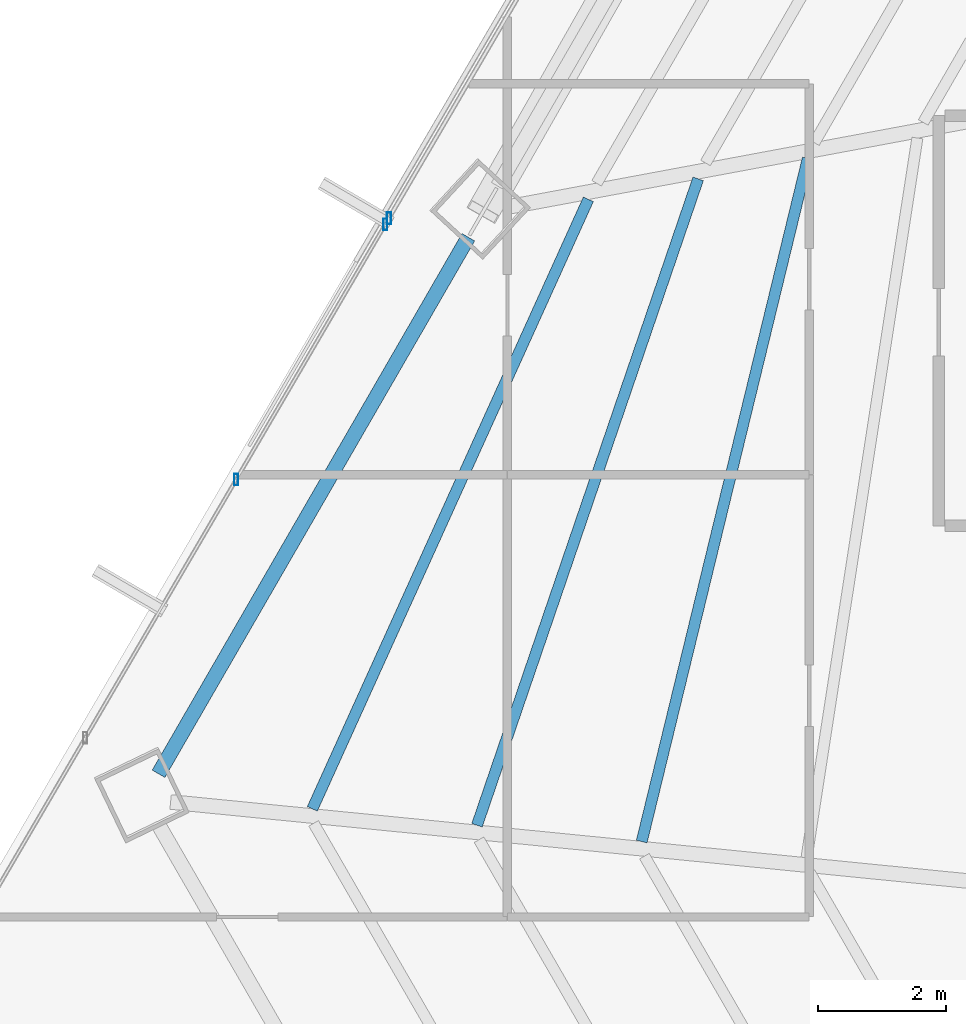
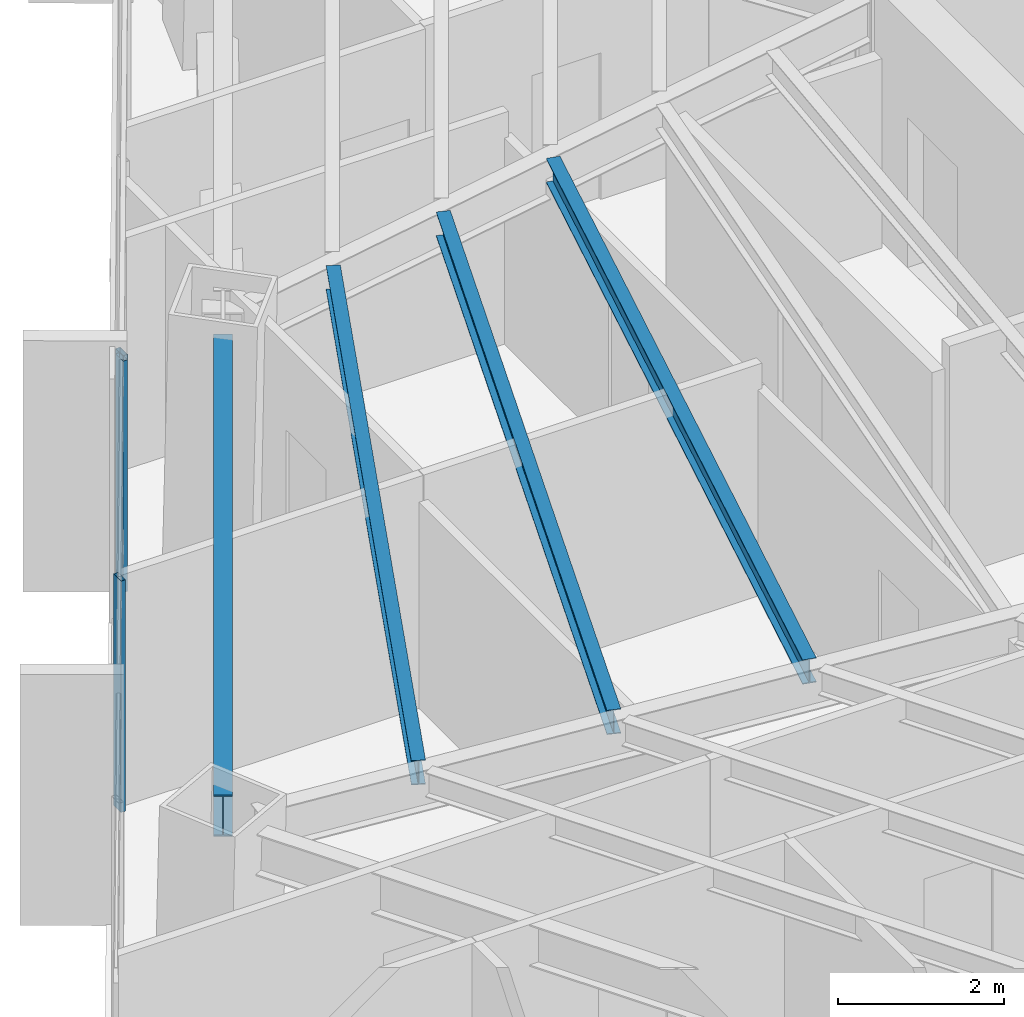
# One storey, part 12 of 37: 4 beams, 3 members, 2 elements without a shape of their own.
"""IFC4 building model written with IfcOpenShell, lengths in metres."""

from ifc_helpers import new_model, si_unit, direction, frame, origin, origin_2d, place, context, subcontext, project, spatial, hollow_rectangle, i_section, extrude, source, transform, mapped, material, material_profile, profile_set, type_object, type_shapes, element, aggregate, save


model = new_model("IFC4")

# Units and contexts
model_context = context("Model", 3, precision=1e-05, world=origin(), true_north=direction((0.0, 1.0)))
body_context = subcontext(model_context, "Body", "Model", "MODEL_VIEW")
ifc_project = project(units=[si_unit("LENGTHUNIT", "METRE"), si_unit("AREAUNIT", "SQUARE_METRE"), si_unit("VOLUMEUNIT", "CUBIC_METRE"), si_unit("PLANEANGLEUNIT", "RADIAN"), si_unit("MASSUNIT", "GRAM", prefix="KILO")], contexts=[model_context])

# Site, building, storey
site_placement = place(None, origin())
site = spatial("IfcSite", under=ifc_project, at=site_placement, CompositionType="ELEMENT")
building_placement = place(site_placement, origin())
building = spatial("IfcBuilding", under=site, at=building_placement, Name="Caelisora Broadcast Tower", CompositionType="ELEMENT")
storey_placement = place(building_placement, frame((0.0, 0.0, 116.35009765625)))
storey = spatial("IfcBuildingStorey", under=building, at=storey_placement, Name="L30", CompositionType="ELEMENT", Elevation=116.35009765625)

# Beams
ifc_material_1 = material(Name="Steel Grade 350 (AS/NZS 3679.1)", Category="steel")
ifc_material_profile_1 = material_profile(ifc_material_1, i_section(OverallWidth=0.22900390625, OverallDepth=0.611572265625, WebThickness=0.011962890625, FlangeThickness=0.01953125, at=origin_2d()), Name="Steel Grade 350 (AS/NZS 3679.1)")
ifc_profile_set_1 = profile_set([ifc_material_profile_1], Name="Steel Grade 350 (AS/NZS 3679.1)")
beam_type_1 = type_object("IfcBeamType", Name="PG03", PredefinedType="BEAM", material=ifc_profile_set_1)
shared_shape_1 = source(origin(), body_context, "Body", "SweptSolid", [
    extrude(i_section(OverallWidth=0.22900390625, OverallDepth=0.611572265625, WebThickness=0.011962890625, FlangeThickness=0.01953125, at=origin_2d()), origin(), (0.0, 0.0, 1.0), 9.664794921875),
])
type_shapes(beam_type_1, [shared_shape_1])
beam_1_placement = place(storey_placement, frame((20.081298828125, 27.703369140625, 3.093994140625), z_axis=(-0.500013275555, -0.866017739004, 0.0), x_axis=(0.866017739004, -0.500013275555, 0.0)))
element("IfcBeam", 1, at=beam_1_placement, inside=storey, type_object=beam_type_1, Name="L30 beam PG03", PredefinedType="BEAM", context=body_context, shape_type="MappedRepresentation", body=[
    mapped(shared_shape_1, transform((0.0, 0.0, 0.0), scale=1.0)),
])
ifc_material_profile_2 = material_profile(ifc_material_1, i_section(OverallWidth=0.172119140625, OverallDepth=0.358642578125, WebThickness=0.008056640625, FlangeThickness=0.012939453125, at=origin_2d()), Name="Steel Grade 350 (AS/NZS 3679.1)")
ifc_profile_set_2 = profile_set([ifc_material_profile_2], Name="Steel Grade 350 (AS/NZS 3679.1)")
beam_type_2 = type_object("IfcBeamType", Name="SB02", PredefinedType="JOIST", material=ifc_profile_set_2)
shared_shape_2 = source(origin(), body_context, "Body", "SweptSolid", [
    extrude(i_section(OverallWidth=0.172119140625, OverallDepth=0.358642578125, WebThickness=0.008056640625, FlangeThickness=0.012939453125, at=origin_2d()), origin(), (0.0, 0.0, 1.0), 10.96630859375),
])
beam_2_placement = place(storey_placement, frame((25.376708984375, 28.932373046875, 3.220703125), z_axis=(-0.236255002602, -0.971691089671, 0.0), x_axis=(0.971691089671, -0.236255002602, 0.0)))
element("IfcBeam", 2, at=beam_2_placement, inside=storey, type_object=beam_type_2, Name="L30 beam SB02", PredefinedType="JOIST", context=body_context, shape_type="MappedRepresentation", body=[
    mapped(shared_shape_2, transform((0.0, 0.0, 0.0), scale=1.0)),
])
shared_shape_3 = source(origin(), body_context, "Body", "SweptSolid", [
    extrude(i_section(OverallWidth=0.172119140625, OverallDepth=0.358642578125, WebThickness=0.008056640625, FlangeThickness=0.012939453125, at=origin_2d()), origin(), (0.0, 0.0, 1.0), 10.65576171875),
])
beam_3_placement = place(storey_placement, frame((23.666015625, 28.613525390625, 3.220703125), z_axis=(-0.323737336441, -0.946146995447, 0.0), x_axis=(0.946146995447, -0.323737336441, 0.0)))
element("IfcBeam", 3, at=beam_3_placement, inside=storey, type_object=beam_type_2, Name="L30 beam SB02", PredefinedType="JOIST", context=body_context, shape_type="MappedRepresentation", body=[
    mapped(shared_shape_3, transform((0.0, 0.0, 0.0), scale=1.0)),
])
shared_shape_4 = source(origin(), body_context, "Body", "SweptSolid", [
    extrude(i_section(OverallWidth=0.172119140625, OverallDepth=0.358642578125, WebThickness=0.008056640625, FlangeThickness=0.012939453125, at=origin_2d()), origin(), (0.0, 0.0, 1.0), 10.437255859375),
])
type_shapes(beam_type_2, [shared_shape_2, shared_shape_3, shared_shape_4])
beam_4_placement = place(storey_placement, frame((21.953125, 28.294189453125, 3.220703125), z_axis=(-0.412526597842, -0.910945556042, 0.0), x_axis=(0.910945556042, -0.412526597842, 0.0)))
element("IfcBeam", 4, at=beam_4_placement, inside=storey, type_object=beam_type_2, Name="L30 beam SB02", PredefinedType="JOIST", context=body_context, shape_type="MappedRepresentation", body=[
    mapped(shared_shape_4, transform((0.0, 0.0, 0.0), scale=1.0)),
])

# Curtain wall, members
ifc_material_2 = material(Name="Unitised Aluminium and Low-E Glass Curtain Wall", Category="glass")
curtain_wall_type_1 = type_object("IfcCurtainWallType", Name="CW-Z2", PredefinedType="NOTDEFINED", material=ifc_material_2)
curtain_wall_1_placement = place(storey_placement, origin())
curtain_wall_1 = element("IfcCurtainWall", 5, at=curtain_wall_1_placement, inside=storey, type_object=curtain_wall_type_1, Name="L30 curtain wall CW-Z2", PredefinedType="NOTDEFINED")
ifc_material_3 = material(Name="Aluminium 6063-T6 Anodised Terracotta Bronze", Category="aluminium")
ifc_material_profile_3 = material_profile(ifc_material_3, hollow_rectangle(XDim=0.06494140625, YDim=0.179931640625, WallThickness=0.00341796875, at=origin_2d()), Name="Aluminium 6063-T6 Anodised Terracotta Bronze")
ifc_profile_set_3 = profile_set([ifc_material_profile_3], Name="Aluminium 6063-T6 Anodised Terracotta Bronze")
member_type = type_object("IfcMemberType", Name="CWM-02", PredefinedType="MULLION", material=ifc_profile_set_3)
shared_shape_5 = source(origin(), body_context, "Body", "SweptSolid", [
    extrude(hollow_rectangle(XDim=0.06494140625, YDim=0.179931640625, WallThickness=0.00341796875, at=origin_2d()), origin(), (0.0, 0.0, 1.0), 3.39990234375),
])
type_shapes(member_type, [shared_shape_5])
member_1_placement = place(storey_placement, frame((16.458984375, 23.920654296875, 0.0), z_axis=(0.0, 0.0, 1.0), x_axis=(1.0, 0.0, 0.0)))
member_1 = element("IfcMember", 6, at=member_1_placement, type_object=member_type, Name="L30-CW-B09 mullion #2", PredefinedType="MULLION", context=body_context, shape_type="MappedRepresentation", body=[
    mapped(shared_shape_5, transform((0.0, 0.0, 0.0), scale=1.0)),
])
member_2_placement = place(storey_placement, frame((18.786865234375, 27.90478515625, 0.0), z_axis=(0.0, 0.0, 1.0), x_axis=(1.0, 0.0, 0.0)))
member_2 = element("IfcMember", 7, at=member_2_placement, type_object=member_type, Name="L30-CW-B09 mullion #3", PredefinedType="MULLION", context=body_context, shape_type="MappedRepresentation", body=[
    mapped(shared_shape_5, transform((0.0, 0.0, 0.0), scale=1.0)),
])
aggregate(curtain_wall_1, [member_1, member_2])

# Curtain wall, member
ifc_material_4 = material(Name="Unitised Aluminium Insulated Shadow-Box Spandrel Curtain Wall", Category="aluminium")
curtain_wall_type_2 = type_object("IfcCurtainWallType", Name="CW-SP1", PredefinedType="NOTDEFINED", material=ifc_material_4)
curtain_wall_2_placement = place(storey_placement, origin())
curtain_wall_2 = element("IfcCurtainWall", 8, at=curtain_wall_2_placement, inside=storey, type_object=curtain_wall_type_2, Name="L30 curtain wall CW-SP1", PredefinedType="NOTDEFINED")
member_3_placement = place(storey_placement, frame((18.84228515625, 27.999755859375, 0.0), z_axis=(0.0, 0.0, 1.0), x_axis=(1.0, 0.0, 0.0)))
member_3 = element("IfcMember", 9, at=member_3_placement, type_object=member_type, Name="L30-CW-B10 mullion #0", PredefinedType="MULLION", context=body_context, shape_type="MappedRepresentation", body=[
    mapped(shared_shape_5, transform((0.0, 0.0, 0.0), scale=1.0)),
])
aggregate(curtain_wall_2, [member_3])

save(model, "model.ifc")
